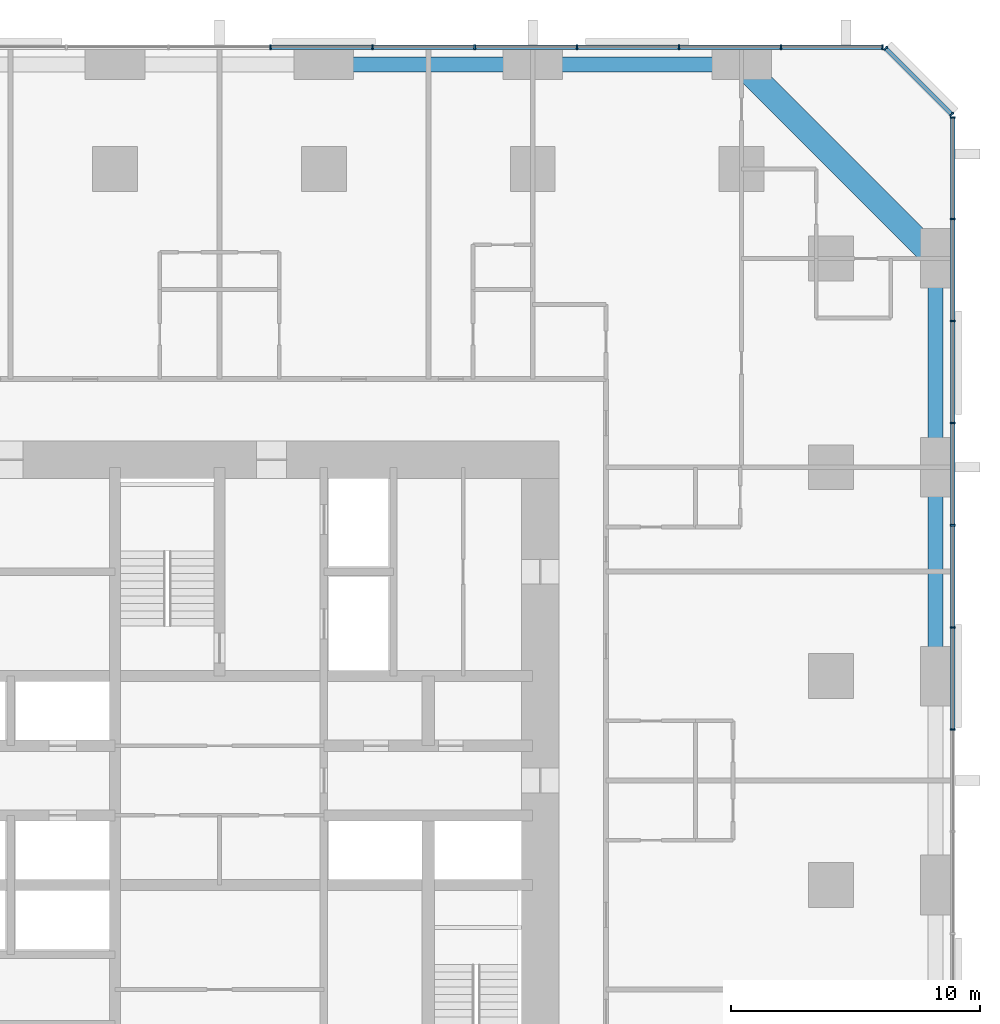
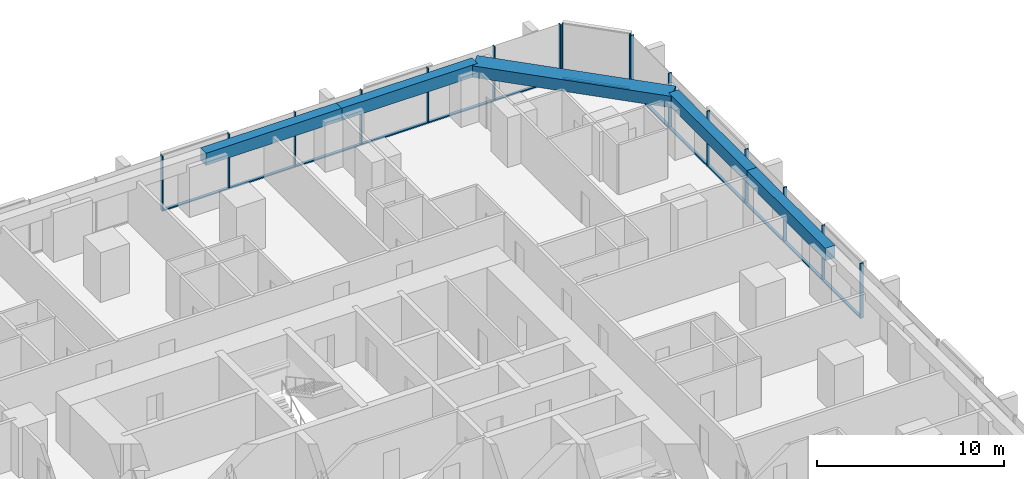
# One storey, part 8 of 17: 29 members, 5 beams, 3 elements without a shape of their own.
"""IFC4 building model written with IfcOpenShell, lengths in metres."""

from ifc_helpers import new_model, si_unit, direction, frame, origin, origin_2d, place, context, subcontext, project, spatial, rectangle, extrude, material, material_profile, profile_set, type_object, element, aggregate, save


model = new_model("IFC4")

# Units and contexts
model_context = context("Model", 3, precision=1e-05, world=origin(), true_north=direction((0.0, 1.0)))
body_context = subcontext(model_context, "Body", "Model", "MODEL_VIEW")
ifc_project = project(units=[si_unit("LENGTHUNIT", "METRE"), si_unit("AREAUNIT", "SQUARE_METRE"), si_unit("VOLUMEUNIT", "CUBIC_METRE"), si_unit("PLANEANGLEUNIT", "RADIAN"), si_unit("MASSUNIT", "GRAM", prefix="KILO")], contexts=[model_context])

# Site, building, storey
site_placement = place(None, origin())
site = spatial("IfcSite", under=ifc_project, at=site_placement, CompositionType="ELEMENT")
building_placement = place(site_placement, origin())
building = spatial("IfcBuilding", under=site, at=building_placement, Name="Dunama Terrace Hotel", CompositionType="ELEMENT")
storey_placement = place(building_placement, frame((0.0, 0.0, 77.39990234375)))
storey = spatial("IfcBuildingStorey", under=building, at=storey_placement, Name="L19", CompositionType="ELEMENT", Elevation=77.39990234375)

# Curtain wall, members
ifc_material_1 = material(Name="Aluminium curtain wall system", Category="aluminium")
curtain_wall_type = type_object("IfcCurtainWallType", Name="Unitised fritted glass wall CW-A", PredefinedType="NOTDEFINED", material=ifc_material_1)
curtain_wall_1_placement = place(storey_placement, origin())
curtain_wall_1 = element("IfcCurtainWall", 1, at=curtain_wall_1_placement, inside=storey, type_object=curtain_wall_type, Name="Unitised fritted glass wall CW-A L19", PredefinedType="NOTDEFINED")
ifc_material_2 = material(Name="Aluminium mullion", Category="aluminium")
ifc_material_profile_1 = material_profile(ifc_material_2, rectangle(XDim=0.06494140625, YDim=0.199951171875, at=origin_2d()), Name="CWA MULLION 65X200")
ifc_profile_set_1 = profile_set([ifc_material_profile_1], Name="Aluminium mullion")
member_type_1 = type_object("IfcMemberType", Name="CWA mullion 65x200", PredefinedType="MULLION", material=ifc_profile_set_1)
member_1_placement = place(storey_placement, frame((58.89990234375, 31.4541015625, 0.0), z_axis=(0.0, 0.0, 1.0), x_axis=(0.0, 1.0, 0.0)))
member_1 = element("IfcMember", 2, at=member_1_placement, type_object=member_type_1, Name="CWA mullion", PredefinedType="MULLION", context=body_context, shape_type="SweptSolid", body=[
    extrude(rectangle(XDim=0.06494140625, YDim=0.199951171875, at=origin_2d()), origin(), (0.0, 0.0, 1.0), 3.60009765625),
])
member_2_placement = place(storey_placement, frame((58.89990234375, 35.56201171875, 0.0), z_axis=(0.0, 0.0, 1.0), x_axis=(0.0, 1.0, 0.0)))
member_2 = element("IfcMember", 3, at=member_2_placement, type_object=member_type_1, Name="CWA mullion", PredefinedType="MULLION", context=body_context, shape_type="SweptSolid", body=[
    extrude(rectangle(XDim=0.06494140625, YDim=0.199951171875, at=origin_2d()), origin(), (0.0, 0.0, 1.0), 3.60009765625),
])
member_3_placement = place(storey_placement, frame((58.89990234375, 39.6689453125, 0.0), z_axis=(0.0, 0.0, 1.0), x_axis=(0.0, 1.0, 0.0)))
member_3 = element("IfcMember", 4, at=member_3_placement, type_object=member_type_1, Name="CWA mullion", PredefinedType="MULLION", context=body_context, shape_type="SweptSolid", body=[
    extrude(rectangle(XDim=0.06494140625, YDim=0.199951171875, at=origin_2d()), origin(), (0.0, 0.0, 1.0), 3.60009765625),
])
member_4_placement = place(storey_placement, frame((58.89990234375, 43.777099609375, 0.0), z_axis=(0.0, 0.0, 1.0), x_axis=(0.0, 1.0, 0.0)))
member_4 = element("IfcMember", 5, at=member_4_placement, type_object=member_type_1, Name="CWA mullion", PredefinedType="MULLION", context=body_context, shape_type="SweptSolid", body=[
    extrude(rectangle(XDim=0.06494140625, YDim=0.199951171875, at=origin_2d()), origin(), (0.0, 0.0, 1.0), 3.60009765625),
])
member_5_placement = place(storey_placement, frame((58.89990234375, 47.885009765625, 0.0), z_axis=(0.0, 0.0, 1.0), x_axis=(0.0, 1.0, 0.0)))
member_5 = element("IfcMember", 6, at=member_5_placement, type_object=member_type_1, Name="CWA mullion", PredefinedType="MULLION", context=body_context, shape_type="SweptSolid", body=[
    extrude(rectangle(XDim=0.06494140625, YDim=0.199951171875, at=origin_2d()), origin(), (0.0, 0.0, 1.0), 3.60009765625),
])
member_6_placement = place(storey_placement, frame((58.89990234375, 51.991943359375, 0.0), z_axis=(0.0, 0.0, 1.0), x_axis=(0.0, 1.0, 0.0)))
member_6 = element("IfcMember", 7, at=member_6_placement, type_object=member_type_1, Name="CWA mullion", PredefinedType="MULLION", context=body_context, shape_type="SweptSolid", body=[
    extrude(rectangle(XDim=0.06494140625, YDim=0.199951171875, at=origin_2d()), origin(), (0.0, 0.0, 1.0), 3.60009765625),
])
member_7_placement = place(storey_placement, frame((58.89990234375, 56.06689453125, 0.0), z_axis=(0.0, 0.0, 1.0), x_axis=(0.0, 1.0, 0.0)))
member_7 = element("IfcMember", 8, at=member_7_placement, type_object=member_type_1, Name="CWA mullion", PredefinedType="MULLION", context=body_context, shape_type="SweptSolid", body=[
    extrude(rectangle(XDim=0.06494140625, YDim=0.199951171875, at=origin_2d()), origin(), (0.0, 0.0, 1.0), 3.60009765625),
])

curtain_wall_2_placement = place(storey_placement, origin())
curtain_wall_2 = element("IfcCurtainWall", 9, at=curtain_wall_2_placement, inside=storey, type_object=curtain_wall_type, Name="Unitised fritted glass wall CW-A L19", PredefinedType="NOTDEFINED")
member_8_placement = place(storey_placement, frame((58.847900390625, 56.194091796875, 0.0), z_axis=(0.0, 0.0, 1.0), x_axis=(-0.707106781187, 0.707106781187, 0.0)))
member_8 = element("IfcMember", 10, at=member_8_placement, type_object=member_type_1, Name="CWA mullion", PredefinedType="MULLION", context=body_context, shape_type="SweptSolid", body=[
    extrude(rectangle(XDim=0.06494140625, YDim=0.199951171875, at=origin_2d()), origin(), (0.0, 0.0, 1.0), 3.60009765625),
])
member_9_placement = place(storey_placement, frame((56.194091796875, 58.847900390625, 0.0), z_axis=(0.0, 0.0, 1.0), x_axis=(-0.707106781187, 0.707106781187, 0.0)))
member_9 = element("IfcMember", 11, at=member_9_placement, type_object=member_type_1, Name="CWA mullion", PredefinedType="MULLION", context=body_context, shape_type="SweptSolid", body=[
    extrude(rectangle(XDim=0.06494140625, YDim=0.199951171875, at=origin_2d()), origin(), (0.0, 0.0, 1.0), 3.60009765625),
])

curtain_wall_3_placement = place(storey_placement, origin())
curtain_wall_3 = element("IfcCurtainWall", 12, at=curtain_wall_3_placement, inside=storey, type_object=curtain_wall_type, Name="Unitised fritted glass wall CW-A L19", PredefinedType="NOTDEFINED")
member_10_placement = place(storey_placement, frame((56.06689453125, 58.89990234375, 0.0), z_axis=(0.0, 0.0, 1.0), x_axis=(-1.0, 0.0, 0.0)))
member_10 = element("IfcMember", 13, at=member_10_placement, type_object=member_type_1, Name="CWA mullion", PredefinedType="MULLION", context=body_context, shape_type="SweptSolid", body=[
    extrude(rectangle(XDim=0.06494140625, YDim=0.199951171875, at=origin_2d()), origin(), (0.0, 0.0, 1.0), 3.60009765625),
])
member_11_placement = place(storey_placement, frame((51.991943359375, 58.89990234375, 0.0), z_axis=(0.0, 0.0, 1.0), x_axis=(-1.0, 0.0, 0.0)))
member_11 = element("IfcMember", 14, at=member_11_placement, type_object=member_type_1, Name="CWA mullion", PredefinedType="MULLION", context=body_context, shape_type="SweptSolid", body=[
    extrude(rectangle(XDim=0.06494140625, YDim=0.199951171875, at=origin_2d()), origin(), (0.0, 0.0, 1.0), 3.60009765625),
])
member_12_placement = place(storey_placement, frame((47.885009765625, 58.89990234375, 0.0), z_axis=(0.0, 0.0, 1.0), x_axis=(-1.0, 0.0, 0.0)))
member_12 = element("IfcMember", 15, at=member_12_placement, type_object=member_type_1, Name="CWA mullion", PredefinedType="MULLION", context=body_context, shape_type="SweptSolid", body=[
    extrude(rectangle(XDim=0.06494140625, YDim=0.199951171875, at=origin_2d()), origin(), (0.0, 0.0, 1.0), 3.60009765625),
])
member_13_placement = place(storey_placement, frame((43.777099609375, 58.89990234375, 0.0), z_axis=(0.0, 0.0, 1.0), x_axis=(-1.0, 0.0, 0.0)))
member_13 = element("IfcMember", 16, at=member_13_placement, type_object=member_type_1, Name="CWA mullion", PredefinedType="MULLION", context=body_context, shape_type="SweptSolid", body=[
    extrude(rectangle(XDim=0.06494140625, YDim=0.199951171875, at=origin_2d()), origin(), (0.0, 0.0, 1.0), 3.60009765625),
])
member_14_placement = place(storey_placement, frame((39.6689453125, 58.89990234375, 0.0), z_axis=(0.0, 0.0, 1.0), x_axis=(-1.0, 0.0, 0.0)))
member_14 = element("IfcMember", 17, at=member_14_placement, type_object=member_type_1, Name="CWA mullion", PredefinedType="MULLION", context=body_context, shape_type="SweptSolid", body=[
    extrude(rectangle(XDim=0.06494140625, YDim=0.199951171875, at=origin_2d()), origin(), (0.0, 0.0, 1.0), 3.60009765625),
])
member_15_placement = place(storey_placement, frame((35.56201171875, 58.89990234375, 0.0), z_axis=(0.0, 0.0, 1.0), x_axis=(-1.0, 0.0, 0.0)))
member_15 = element("IfcMember", 18, at=member_15_placement, type_object=member_type_1, Name="CWA mullion", PredefinedType="MULLION", context=body_context, shape_type="SweptSolid", body=[
    extrude(rectangle(XDim=0.06494140625, YDim=0.199951171875, at=origin_2d()), origin(), (0.0, 0.0, 1.0), 3.60009765625),
])
member_16_placement = place(storey_placement, frame((31.4541015625, 58.89990234375, 0.0), z_axis=(0.0, 0.0, 1.0), x_axis=(-1.0, 0.0, 0.0)))
member_16 = element("IfcMember", 19, at=member_16_placement, type_object=member_type_1, Name="CWA mullion", PredefinedType="MULLION", context=body_context, shape_type="SweptSolid", body=[
    extrude(rectangle(XDim=0.06494140625, YDim=0.199951171875, at=origin_2d()), origin(), (0.0, 0.0, 1.0), 3.60009765625),
])

# Member
ifc_material_3 = material(Name="Aluminium transom", Category="aluminium")
ifc_material_profile_2 = material_profile(ifc_material_3, rectangle(XDim=0.179931640625, YDim=0.074951171875, at=origin_2d()), Name="CWA TRANSOM 180X75")
ifc_profile_set_2 = profile_set([ifc_material_profile_2], Name="Aluminium transom")
member_type_2 = type_object("IfcMemberType", Name="CWA transom 180x75", PredefinedType="USERDEFINED", material=ifc_profile_set_2)
member_17_placement = place(storey_placement, frame((58.89990234375, 31.486083984375, 0.03759765625), z_axis=(0.0, 1.0, 0.0), x_axis=(-1.0, 0.0, 0.0)))
member_17 = element("IfcMember", 20, at=member_17_placement, type_object=member_type_2, Name="CWA transom", ObjectType="TRANSOM", PredefinedType="USERDEFINED", context=body_context, shape_type="SweptSolid", body=[
    extrude(rectangle(XDim=0.179931640625, YDim=0.074951171875, at=origin_2d()), origin(), (0.0, 0.0, 1.0), 4.04296875),
])

member_18_placement = place(storey_placement, frame((58.89990234375, 35.593994140625, 0.03759765625), z_axis=(0.0, 1.0, 0.0), x_axis=(-1.0, 0.0, 0.0)))
member_18 = element("IfcMember", 21, at=member_18_placement, type_object=member_type_2, Name="CWA transom", ObjectType="TRANSOM", PredefinedType="USERDEFINED", context=body_context, shape_type="SweptSolid", body=[
    extrude(rectangle(XDim=0.179931640625, YDim=0.074951171875, at=origin_2d()), origin(), (0.0, 0.0, 1.0), 4.04296875),
])

member_19_placement = place(storey_placement, frame((58.89990234375, 39.701904296875, 0.03759765625), z_axis=(0.0, 1.0, 0.0), x_axis=(-1.0, 0.0, 0.0)))
member_19 = element("IfcMember", 22, at=member_19_placement, type_object=member_type_2, Name="CWA transom", ObjectType="TRANSOM", PredefinedType="USERDEFINED", context=body_context, shape_type="SweptSolid", body=[
    extrude(rectangle(XDim=0.179931640625, YDim=0.074951171875, at=origin_2d()), origin(), (0.0, 0.0, 1.0), 4.0419921875),
])

member_20_placement = place(storey_placement, frame((58.89990234375, 43.80908203125, 0.03759765625), z_axis=(0.0, 1.0, 0.0), x_axis=(-1.0, 0.0, 0.0)))
member_20 = element("IfcMember", 23, at=member_20_placement, type_object=member_type_2, Name="CWA transom", ObjectType="TRANSOM", PredefinedType="USERDEFINED", context=body_context, shape_type="SweptSolid", body=[
    extrude(rectangle(XDim=0.179931640625, YDim=0.074951171875, at=origin_2d()), origin(), (0.0, 0.0, 1.0), 4.04296875),
])

member_21_placement = place(storey_placement, frame((58.89990234375, 47.9169921875, 0.03759765625), z_axis=(0.0, 1.0, 0.0), x_axis=(-1.0, 0.0, 0.0)))
member_21 = element("IfcMember", 24, at=member_21_placement, type_object=member_type_2, Name="CWA transom", ObjectType="TRANSOM", PredefinedType="USERDEFINED", context=body_context, shape_type="SweptSolid", body=[
    extrude(rectangle(XDim=0.179931640625, YDim=0.074951171875, at=origin_2d()), origin(), (0.0, 0.0, 1.0), 4.04296875),
])

member_22_placement = place(storey_placement, frame((58.89990234375, 52.02490234375, 0.03759765625), z_axis=(0.0, 1.0, 0.0), x_axis=(-1.0, 0.0, 0.0)))
member_22 = element("IfcMember", 25, at=member_22_placement, type_object=member_type_2, Name="CWA transom", ObjectType="TRANSOM", PredefinedType="USERDEFINED", context=body_context, shape_type="SweptSolid", body=[
    extrude(rectangle(XDim=0.179931640625, YDim=0.074951171875, at=origin_2d()), origin(), (0.0, 0.0, 1.0), 4.010009765625),
])

aggregate(curtain_wall_1, [member_1, member_2, member_3, member_4, member_5, member_6, member_7, member_17, member_18, member_19, member_20, member_21, member_22])

member_23_placement = place(storey_placement, frame((58.824951171875, 56.217041015625, 0.03759765625), z_axis=(-0.707106781187, 0.707106781187, 0.0), x_axis=(-0.707106781187, -0.707106781187, 0.0)))
member_23 = element("IfcMember", 26, at=member_23_placement, type_object=member_type_2, Name="CWA transom", ObjectType="TRANSOM", PredefinedType="USERDEFINED", context=body_context, shape_type="SweptSolid", body=[
    extrude(rectangle(XDim=0.179931640625, YDim=0.074951171875, at=origin_2d()), origin(), (0.0, 0.0, 1.0), 3.688232421875),
])

aggregate(curtain_wall_2, [member_8, member_9, member_23])

member_24_placement = place(storey_placement, frame((56.034912109375, 58.89990234375, 0.03759765625), z_axis=(-1.0, 0.0, 0.0), x_axis=(0.0, -1.0, 0.0)))
member_24 = element("IfcMember", 27, at=member_24_placement, type_object=member_type_2, Name="CWA transom", ObjectType="TRANSOM", PredefinedType="USERDEFINED", context=body_context, shape_type="SweptSolid", body=[
    extrude(rectangle(XDim=0.179931640625, YDim=0.074951171875, at=origin_2d()), origin(), (0.0, 0.0, 1.0), 4.010009765625),
])

member_25_placement = place(storey_placement, frame((51.9599609375, 58.89990234375, 0.03759765625), z_axis=(-1.0, 0.0, 0.0), x_axis=(0.0, -1.0, 0.0)))
member_25 = element("IfcMember", 28, at=member_25_placement, type_object=member_type_2, Name="CWA transom", ObjectType="TRANSOM", PredefinedType="USERDEFINED", context=body_context, shape_type="SweptSolid", body=[
    extrude(rectangle(XDim=0.179931640625, YDim=0.074951171875, at=origin_2d()), origin(), (0.0, 0.0, 1.0), 4.04296875),
])

member_26_placement = place(storey_placement, frame((47.85205078125, 58.89990234375, 0.03759765625), z_axis=(-1.0, 0.0, 0.0), x_axis=(0.0, -1.0, 0.0)))
member_26 = element("IfcMember", 29, at=member_26_placement, type_object=member_type_2, Name="CWA transom", ObjectType="TRANSOM", PredefinedType="USERDEFINED", context=body_context, shape_type="SweptSolid", body=[
    extrude(rectangle(XDim=0.179931640625, YDim=0.074951171875, at=origin_2d()), origin(), (0.0, 0.0, 1.0), 4.04296875),
])

member_27_placement = place(storey_placement, frame((43.743896484375, 58.89990234375, 0.03759765625), z_axis=(-1.0, 0.0, 0.0), x_axis=(0.0, -1.0, 0.0)))
member_27 = element("IfcMember", 30, at=member_27_placement, type_object=member_type_2, Name="CWA transom", ObjectType="TRANSOM", PredefinedType="USERDEFINED", context=body_context, shape_type="SweptSolid", body=[
    extrude(rectangle(XDim=0.179931640625, YDim=0.074951171875, at=origin_2d()), origin(), (0.0, 0.0, 1.0), 4.0419921875),
])

member_28_placement = place(storey_placement, frame((39.636962890625, 58.89990234375, 0.03759765625), z_axis=(-1.0, 0.0, 0.0), x_axis=(0.0, -1.0, 0.0)))
member_28 = element("IfcMember", 31, at=member_28_placement, type_object=member_type_2, Name="CWA transom", ObjectType="TRANSOM", PredefinedType="USERDEFINED", context=body_context, shape_type="SweptSolid", body=[
    extrude(rectangle(XDim=0.179931640625, YDim=0.074951171875, at=origin_2d()), origin(), (0.0, 0.0, 1.0), 4.04296875),
])

member_29_placement = place(storey_placement, frame((35.529052734375, 58.89990234375, 0.03759765625), z_axis=(-1.0, 0.0, 0.0), x_axis=(0.0, -1.0, 0.0)))
member_29 = element("IfcMember", 32, at=member_29_placement, type_object=member_type_2, Name="CWA transom", ObjectType="TRANSOM", PredefinedType="USERDEFINED", context=body_context, shape_type="SweptSolid", body=[
    extrude(rectangle(XDim=0.179931640625, YDim=0.074951171875, at=origin_2d()), origin(), (0.0, 0.0, 1.0), 4.04296875),
])

aggregate(curtain_wall_3, [member_10, member_11, member_12, member_13, member_14, member_15, member_16, member_24, member_25, member_26, member_27, member_28, member_29])

# Beams
ifc_material_4 = material(Name="Concrete C50/60", Category="concrete")
ifc_material_profile_3 = material_profile(ifc_material_4, rectangle(XDim=1.0, YDim=0.75, at=origin_2d()), Name="RC 1000x750")
ifc_profile_set_3 = profile_set([ifc_material_profile_3], Name="Concrete C50/60")
beam_type_1 = type_object("IfcBeamType", Name="Edge beam RC 1000x750", PredefinedType="SPANDREL", material=ifc_profile_set_3)
beam_placement = place(storey_placement, frame((50.39990234375, 58.199951171875, 3.22509765625), z_axis=(0.707106781187, -0.707106781187, 0.0), x_axis=(0.707106781187, 0.707106781187, 0.0)))
element("IfcBeam", 33, at=beam_placement, inside=storey, type_object=beam_type_1, Name="Corner edge beam under L20", PredefinedType="SPANDREL", context=body_context, shape_type="SweptSolid", body=[
    extrude(rectangle(XDim=1.0, YDim=0.75, at=origin_2d()), origin(), (0.0, 0.0, 1.0), 11.031005859375),
])
ifc_material_5 = material(Name="Concrete C40/50", Category="concrete")
ifc_material_profile_4 = material_profile(ifc_material_5, rectangle(XDim=0.60009765625, YDim=0.800048828125, at=origin_2d()), Name="RC 600x800")
ifc_profile_set_4 = profile_set([ifc_material_profile_4], Name="Concrete C40/50")
beam_type_2 = type_object("IfcBeamType", Name="Edge beam RC 600x800", PredefinedType="SPANDREL", material=ifc_profile_set_4)
for number, where, z_axis, x_axis, name in (
    (34, (58.199951171875, 33.60009765625, 3.2001953125), (0.0, 1.0, 0.0), (-1.0, 0.0, 0.0), "Edge beam under L20"),
    (35, (58.199951171875, 42.0, 3.2001953125), (0.0, 1.0, 0.0), (-1.0, 0.0, 0.0), "Edge beam under L20"),
    (36, (33.60009765625, 58.199951171875, 3.2001953125), (1.0, 0.0, 0.0), (0.0, 1.0, 0.0), "Edge beam under L20"),
    (37, (42.0, 58.199951171875, 3.2001953125), (1.0, 0.0, 0.0), (0.0, 1.0, 0.0), "Edge beam under L20"),
):
    element("IfcBeam", number, at=place(storey_placement, frame(where, z_axis=z_axis, x_axis=x_axis)), inside=storey, type_object=beam_type_2, Name=name, PredefinedType="SPANDREL", context=body_context, shape_type="SweptSolid", body=[
        extrude(rectangle(XDim=0.60009765625, YDim=0.800048828125, at=origin_2d()), origin(), (0.0, 0.0, 1.0), 8.39990234375),
    ])

save(model, "model.ifc")
